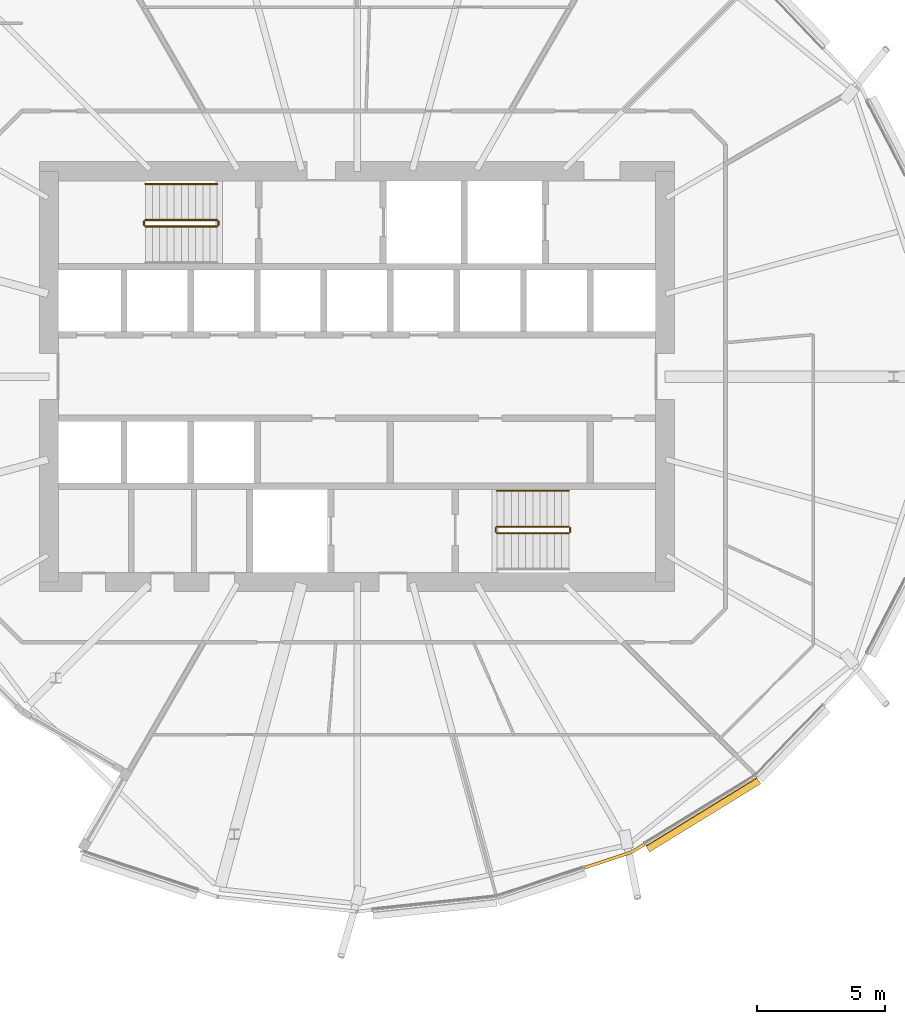
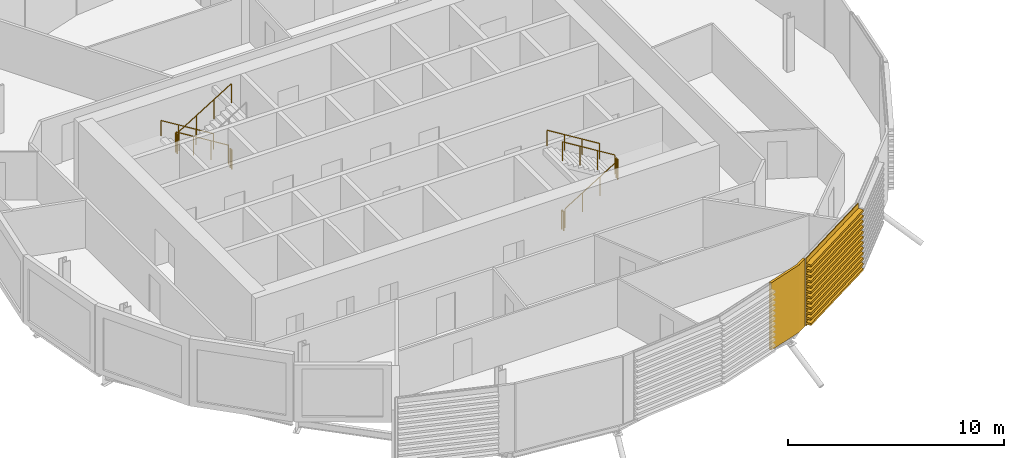
# One storey, part 34 of 38: 10 railings, 2 coverings.
"""IFC4 building model written with IfcOpenShell, lengths in metres."""

import ifcopenshell
import ifcopenshell.guid

model = None  # the IFC model being written
_history = None  # IfcOwnerHistory: only IFC2X3 demands one
_inside = {}  # id of a spatial element -> (the spatial element, [elements in it])
_under = {}  # id of a project, library or spatial element -> (it, [spatial elements below it])
_declared = {}  # id of a project -> (the project, [libraries it declares])
_typed = {}  # id of a type object -> (the type object, [elements of that type])
_made_of = {}  # id of a material, layer set ... -> (it, [elements and type objects made of it])


def new_model(schema):
    """Start an empty IFC model of exactly this schema.

    Asked for "IFC4X3", IfcOpenShell would pick the latest addendum, in which some entities
    have other attributes; the version numbers below select the first issue.
    IFC2X3 requires an IfcOwnerHistory on every rooted entity: one is made here for all.
    """
    global model, _history
    if schema == "IFC4X3":
        model = ifcopenshell.file(schema_version=(4, 3, 0, 0))
    else:
        model = ifcopenshell.file(schema=schema)
    _inside.clear()
    _under.clear()
    _declared.clear()
    _typed.clear()
    _made_of.clear()
    _history = None
    if model.schema == "IFC2X3":
        org = make("IfcOrganization", Name="unknown")
        user = make(
            "IfcPersonAndOrganization",
            ThePerson=make("IfcPerson", FamilyName="unknown"),
            TheOrganization=org,
        )
        app = make(
            "IfcApplication",
            ApplicationDeveloper=org,
            Version="unknown",
            ApplicationFullName="unknown",
            ApplicationIdentifier="unknown",
        )
        _history = make(
            "IfcOwnerHistory",
            OwningUser=user,
            OwningApplication=app,
            ChangeAction="ADDED",
            CreationDate=0,
        )
    return model


def make(cls, **values):
    """One entity of the class cls with the attributes given. An attribute that is None is left unset."""
    return model.create_entity(
        cls, **{name: value for name, value in values.items() if value is not None}
    )


def rooted(cls, **values):
    """An entity with a GlobalId (a new one), such as an element, a storey or a relation."""
    return make(cls, GlobalId=ifcopenshell.guid.new(), OwnerHistory=_history, **values)


def si_unit(unit_type, name, prefix=None):
    """IfcSIUnit, for example si_unit("LENGTHUNIT", "METRE", prefix="MILLI")."""
    return make("IfcSIUnit", UnitType=unit_type, Prefix=prefix, Name=name)


def assignment(units):
    """IfcUnitAssignment: the units of a project."""
    return None if units is None else make("IfcUnitAssignment", Units=units)


def point(xyz):
    """IfcCartesianPoint."""
    return None if xyz is None else make("IfcCartesianPoint", Coordinates=xyz)


def direction(xyz):
    """IfcDirection."""
    return None if xyz is None else make("IfcDirection", DirectionRatios=xyz)


def frame(location, z_axis=None, x_axis=None):
    """IfcAxis2Placement3D, a coordinate frame: its origin and axes. An axis left out is left unset."""
    return make(
        "IfcAxis2Placement3D",
        Location=point(location),
        Axis=direction(z_axis),
        RefDirection=direction(x_axis),
    )


def frame_2d(location, x_axis=None):
    """IfcAxis2Placement2D, a coordinate frame in the plane: its origin and x axis."""
    return make(
        "IfcAxis2Placement2D", Location=point(location), RefDirection=direction(x_axis)
    )


def origin():
    """The frame at (0, 0, 0) with its axes left unset."""
    return frame((0.0, 0.0, 0.0))


def origin_2d():
    """The frame at (0, 0) in the plane with its x axis left unset."""
    return frame_2d((0.0, 0.0))


def place(relative_to, where):
    """IfcLocalPlacement: puts the frame where relative to a parent placement (None: the world)."""
    return make(
        "IfcLocalPlacement", PlacementRelTo=relative_to, RelativePlacement=where
    )


def context(
    kind, dimensions, precision=None, world=None, true_north=None, identifier=None
):
    """IfcGeometricRepresentationContext, for example the 3D "Model" context."""
    return make(
        "IfcGeometricRepresentationContext",
        ContextIdentifier=identifier,
        ContextType=kind,
        CoordinateSpaceDimension=dimensions,
        Precision=precision,
        WorldCoordinateSystem=world,
        TrueNorth=true_north,
    )


def subcontext(parent, identifier, kind, view, scale=None):
    """IfcGeometricRepresentationSubContext, for example "Body" below "Model"."""
    return make(
        "IfcGeometricRepresentationSubContext",
        ContextIdentifier=identifier,
        ContextType=kind,
        ParentContext=parent,
        TargetScale=scale,
        TargetView=view,
    )


def project(units=None, contexts=None):
    """IfcProject with its units and contexts."""
    return rooted(
        "IfcProject",
        Name="project",
        RepresentationContexts=contexts,
        UnitsInContext=assignment(units),
    )


def spatial(cls, under=None, at=None, **own):
    """A site, building, storey or space (cls), placed at a placement, below another one or the project."""
    s = rooted(cls, ObjectPlacement=at, **own)
    if under is not None:
        _under.setdefault(under.id(), (under, []))[1].append(s)
    return s


def polyline(points):
    """IfcPolyline through the points."""
    return make("IfcPolyline", Points=[point(p) for p in points])


def profile(cls, at=None, kind="AREA", **sizes):
    """A parametric profile (cls). Its sizes go by their IFC names, for example OverallWidth=200.0."""
    return make(cls, ProfileType=kind, Position=at, **sizes)


def circle(**sizes):
    """IfcCircleProfileDef."""
    return profile("IfcCircleProfileDef", **sizes)


def outline(outer, holes=None, kind="AREA"):
    """IfcArbitraryClosedProfileDef: a profile drawn as a closed curve; with holes, ...WithVoids."""
    if holes is None:
        return make("IfcArbitraryClosedProfileDef", ProfileType=kind, OuterCurve=outer)
    return make(
        "IfcArbitraryProfileDefWithVoids",
        ProfileType=kind,
        OuterCurve=outer,
        InnerCurves=holes,
    )


def extrude(swept, where, along, depth):
    """IfcExtrudedAreaSolid: the profile swept, set in the frame where, extruded along a direction by depth."""
    return make(
        "IfcExtrudedAreaSolid",
        SweptArea=swept,
        Position=where,
        ExtrudedDirection=direction(along),
        Depth=depth,
    )


def shape(context_of_items, identifier, shape_type, items):
    """IfcShapeRepresentation: the items that make up one representation, for example the "Body"."""
    return make(
        "IfcShapeRepresentation",
        ContextOfItems=context_of_items,
        RepresentationIdentifier=identifier,
        RepresentationType=shape_type,
        Items=items,
    )


def material(Name=None, Category=None):
    """IfcMaterial."""
    return make("IfcMaterial", Name=Name, Category=Category)


def layer(
    of_material, thickness, ventilated=None, Name=None, Category=None, Priority=None
):
    """IfcMaterialLayer: one layer of a wall or slab, of a material (None: an air gap)."""
    return make(
        "IfcMaterialLayer",
        Material=of_material,
        LayerThickness=thickness,
        IsVentilated=ventilated,
        Name=Name,
        Category=Category,
        Priority=Priority,
    )


def layer_set(layers, Name=None):
    """IfcMaterialLayerSet."""
    return make("IfcMaterialLayerSet", MaterialLayers=layers, LayerSetName=Name)


def material_profile(
    of_material, cross_section, Name=None, Category=None, Priority=None
):
    """IfcMaterialProfile: a cross section and its material."""
    return make(
        "IfcMaterialProfile",
        Name=Name,
        Material=of_material,
        Profile=cross_section,
        Priority=Priority,
        Category=Category,
    )


def profile_set(profiles, Name=None, composite=None):
    """IfcMaterialProfileSet."""
    return make(
        "IfcMaterialProfileSet",
        Name=Name,
        MaterialProfiles=profiles,
        CompositeProfile=composite,
    )


def made_of(thing, what):
    """Note that an element or type object is made of a material, layer set ...; save() writes the relation."""
    if what is not None:
        _made_of.setdefault(what.id(), (what, []))[1].append(thing)
    return thing


def type_object(cls, material=None, **own):
    """A type object (cls), such as IfcWallType, which elements share."""
    return made_of(rooted(cls, **own), material)


def element(
    cls,
    number,
    at=None,
    inside=None,
    cuts=None,
    type_object=None,
    material=None,
    context=None,
    identifier="Body",
    shape_type=None,
    held_by="IfcProductDefinitionShape",
    body=None,
    shapes=None,
    **own,
):
    """One element of the class cls, such as IfcWall. Its Tag is "e" and its number.

    at: its placement. inside: the storey or other place that contains it. cuts: it is an
    opening in that element (IfcRelVoidsElement). A single representation is given by context,
    identifier, shape_type and body (its items); several are given by shapes. held_by: the class
    of the entity that holds the representations. save() writes the other relations.
    """
    e = rooted(cls, Tag="e%d" % number, ObjectPlacement=at, **own)
    if body is not None:
        shapes = [shape(context, identifier, shape_type, body)]
    if shapes is not None:
        e.Representation = make(held_by, Representations=shapes)
    if inside is not None:
        _inside.setdefault(inside.id(), (inside, []))[1].append(e)
    if cuts is not None:
        rooted(
            "IfcRelVoidsElement", RelatingBuildingElement=cuts, RelatedOpeningElement=e
        )
    if type_object is not None:
        _typed.setdefault(type_object.id(), (type_object, []))[1].append(e)
    return made_of(e, material)


def aggregate(whole, parts):
    """IfcRelAggregates: a whole, such as a stair, and the parts it consists of."""
    return rooted("IfcRelAggregates", RelatingObject=whole, RelatedObjects=parts)


def save(model, path):
    """Write the relations noted so far, then the file.

    IfcRelAggregates (storeys below a building ...), IfcRelContainedInSpatialStructure (elements
    in a storey), IfcRelDefinesByType, IfcRelAssociatesMaterial and IfcRelDeclares: one each for
    every whole, place, type object, material and project.
    """
    for whole, parts in _under.values():
        aggregate(whole, parts)
    for where, things in _inside.values():
        rooted(
            "IfcRelContainedInSpatialStructure",
            RelatedElements=things,
            RelatingStructure=where,
        )
    for kind, things in _typed.values():
        rooted("IfcRelDefinesByType", RelatedObjects=things, RelatingType=kind)
    for what, things in _made_of.values():
        rooted("IfcRelAssociatesMaterial", RelatedObjects=things, RelatingMaterial=what)
    for by, libraries in _declared.values():
        rooted("IfcRelDeclares", RelatingContext=by, RelatedDefinitions=libraries)
    model.write(path)


model = new_model("IFC4")

# Units and contexts
model_context = context("Model", 3, precision=1e-05, world=origin(), true_north=direction((0.0, 1.0)))
body_context = subcontext(model_context, "Body", "Model", "MODEL_VIEW")
ifc_project = project(units=[si_unit("LENGTHUNIT", "METRE"), si_unit("AREAUNIT", "SQUARE_METRE"), si_unit("VOLUMEUNIT", "CUBIC_METRE"), si_unit("PLANEANGLEUNIT", "RADIAN"), si_unit("MASSUNIT", "GRAM", prefix="KILO")], contexts=[model_context])

# Site, building, storey
site_placement = place(None, origin())
site = spatial("IfcSite", under=ifc_project, at=site_placement, CompositionType="ELEMENT")
building_placement = place(site_placement, origin())
building = spatial("IfcBuilding", under=site, at=building_placement, Name="Rimbun Link Towers", CompositionType="ELEMENT")
storey_placement = place(building_placement, frame((0.0, 0.0, 108.199951171875)))
storey = spatial("IfcBuildingStorey", under=building, at=storey_placement, Name="L26", CompositionType="ELEMENT", Elevation=108.199951171875)

# Covering
ifc_material_1 = material(Name="Terracotta", Category="masonry")
ifc_layer = layer(ifc_material_1, 0.1201171875)
ifc_layer_set = layer_set([ifc_layer], Name="LINK PIER terracotta cladding 120")
covering_type_1 = type_object("IfcCoveringType", Name="LINK PIER terracotta cladding 120", PredefinedType="CLADDING", material=ifc_layer_set)
covering_1_placement = place(storey_placement, origin())
element("IfcCovering", 1, at=covering_1_placement, inside=storey, type_object=covering_type_1, Name="LINK PIER cladding", PredefinedType="CLADDING", context=body_context, shape_type="SweptSolid", body=[
    extrude(outline(polyline([(-20.59619140625, -18.17919921875), (-21.08203125, -18.4775390625), (-22.904541015625, -19.08154296875), (-22.86669921875, -19.1953125), (-21.031005859375, -18.5869140625), (-20.533447265625, -18.281494140625), (-20.59619140625, -18.17919921875)])), origin(), (0.0, 0.0, 1.0), 3.800048828125),
])

# Railings
ifc_material_2 = material(Name="Stainless steel grade 316", Category="steel")
railing_type_1 = type_object("IfcRailingType", Name="Stair guard", PredefinedType="GUARDRAIL", material=ifc_material_2)
railing_1_placement = place(storey_placement, frame((-37.199951171875, 6.10009765625, 0.1728515625)))
element("IfcRailing", 2, at=railing_1_placement, inside=storey, type_object=railing_type_1, Name="L26 ST1 stair guard 1", PredefinedType="GUARDRAIL", context=body_context, shape_type="SweptSolid", body=[
    extrude(circle(Radius=0.02392578125, at=origin_2d()), frame((0.0, 0.0, 1.076171875), z_axis=(-0.851089632645, 0.0, 0.525020415988), x_axis=(0.0, -1.0, 0.0)), (0.0, 0.0, 1.0), 3.2900390625),
    extrude(circle(Radius=0.02099609375, at=origin_2d()), origin(), (0.0, 0.0, 1.0), 1.052001953125),
    extrude(circle(Radius=0.02099609375, at=origin_2d()), frame((-0.933349609375, 0.0, 0.57568359375)), (0.0, 0.0, 1.0), 1.052001953125),
    extrude(circle(Radius=0.02099609375, at=origin_2d()), frame((-1.86669921875, 0.0, 1.151611328125)), (0.0, 0.0, 1.0), 1.052001953125),
    extrude(circle(Radius=0.02099609375, at=origin_2d()), frame((-2.800048828125, 0.0, 1.727294921875)), (0.0, 0.0, 1.0), 1.052001953125),
])
railing_2_placement = place(storey_placement, frame((-40.050048828125, 6.050048828125, 1.900146484375)))
element("IfcRailing", 3, at=railing_2_placement, inside=storey, type_object=railing_type_1, Name="L26 ST1 stair guard 2", PredefinedType="GUARDRAIL", context=body_context, shape_type="SweptSolid", body=[
    extrude(circle(Radius=0.02392578125, at=origin_2d()), frame((0.0, 0.0, 1.076171875), z_axis=(0.0, -1.0, 0.0), x_axis=(1.0, 0.0, 0.0)), (0.0, 0.0, 1.0), 0.150146484375),
    extrude(circle(Radius=0.02099609375, at=origin_2d()), origin(), (0.0, 0.0, 1.0), 1.052001953125),
    extrude(circle(Radius=0.02099609375, at=origin_2d()), frame((0.0, -0.150146484375, 0.0)), (0.0, 0.0, 1.0), 1.052001953125),
])
railing_3_placement = place(storey_placement, frame((-40.0, 5.85009765625, 2.07275390625)))
element("IfcRailing", 4, at=railing_3_placement, inside=storey, type_object=railing_type_1, Name="L26 ST1 stair guard 3", PredefinedType="GUARDRAIL", context=body_context, shape_type="SweptSolid", body=[
    extrude(circle(Radius=0.02392578125, at=origin_2d()), frame((0.0, 0.0, 1.076171875), z_axis=(0.851089632645, 0.0, 0.525020415988), x_axis=(0.0, 1.0, 0.0)), (0.0, 0.0, 1.0), 3.2900390625),
    extrude(circle(Radius=0.02099609375, at=origin_2d()), origin(), (0.0, 0.0, 1.0), 1.052001953125),
    extrude(circle(Radius=0.02099609375, at=origin_2d()), frame((0.933349609375, 0.0, 0.57568359375)), (0.0, 0.0, 1.0), 1.052001953125),
    extrude(circle(Radius=0.02099609375, at=origin_2d()), frame((1.86669921875, 0.0, 1.151611328125)), (0.0, 0.0, 1.0), 1.052001953125),
    extrude(circle(Radius=0.02099609375, at=origin_2d()), frame((2.800048828125, 0.0, 1.727294921875)), (0.0, 0.0, 1.0), 1.052001953125),
])
railing_4_placement = place(storey_placement, frame((-37.14990234375, 6.050048828125, 0.0)))
element("IfcRailing", 5, at=railing_4_placement, inside=storey, type_object=railing_type_1, Name="L26 ST1 stair guard 4", PredefinedType="GUARDRAIL", context=body_context, shape_type="SweptSolid", body=[
    extrude(circle(Radius=0.02392578125, at=origin_2d()), frame((0.0, 0.0, 1.076171875), z_axis=(0.0, -1.0, 0.0), x_axis=(1.0, 0.0, 0.0)), (0.0, 0.0, 1.0), 0.150146484375),
    extrude(circle(Radius=0.02099609375, at=origin_2d()), origin(), (0.0, 0.0, 1.0), 1.052001953125),
    extrude(circle(Radius=0.02099609375, at=origin_2d()), frame((0.0, -0.150146484375, 0.0)), (0.0, 0.0, 1.0), 1.052001953125),
])
railing_5_placement = place(storey_placement, frame((-26.300048828125, -6.10009765625, 0.1728515625)))
element("IfcRailing", 6, at=railing_5_placement, inside=storey, type_object=railing_type_1, Name="L26 ST2 stair guard 1", PredefinedType="GUARDRAIL", context=body_context, shape_type="SweptSolid", body=[
    extrude(circle(Radius=0.02392578125, at=origin_2d()), frame((0.0, 0.0, 1.076171875), z_axis=(0.851089632645, 0.0, 0.525020415988), x_axis=(0.0, 1.0, 0.0)), (0.0, 0.0, 1.0), 3.2900390625),
    extrude(circle(Radius=0.02099609375, at=origin_2d()), origin(), (0.0, 0.0, 1.0), 1.052001953125),
    extrude(circle(Radius=0.02099609375, at=origin_2d()), frame((0.933349609375, 0.0, 0.57568359375)), (0.0, 0.0, 1.0), 1.052001953125),
    extrude(circle(Radius=0.02099609375, at=origin_2d()), frame((1.86669921875, 0.0, 1.151611328125)), (0.0, 0.0, 1.0), 1.052001953125),
    extrude(circle(Radius=0.02099609375, at=origin_2d()), frame((2.800048828125, 0.0, 1.727294921875)), (0.0, 0.0, 1.0), 1.052001953125),
])
railing_6_placement = place(storey_placement, frame((-23.449951171875, -6.050048828125, 1.900146484375)))
element("IfcRailing", 7, at=railing_6_placement, inside=storey, type_object=railing_type_1, Name="L26 ST2 stair guard 2", PredefinedType="GUARDRAIL", context=body_context, shape_type="SweptSolid", body=[
    extrude(circle(Radius=0.02392578125, at=origin_2d()), frame((0.0, 0.0, 1.076171875), z_axis=(0.0, 1.0, 0.0), x_axis=(-1.0, 0.0, 0.0)), (0.0, 0.0, 1.0), 0.150146484375),
    extrude(circle(Radius=0.02099609375, at=origin_2d()), origin(), (0.0, 0.0, 1.0), 1.052001953125),
    extrude(circle(Radius=0.02099609375, at=origin_2d()), frame((0.0, 0.150146484375, 0.0)), (0.0, 0.0, 1.0), 1.052001953125),
])
railing_7_placement = place(storey_placement, frame((-23.5, -5.85009765625, 2.07275390625)))
element("IfcRailing", 8, at=railing_7_placement, inside=storey, type_object=railing_type_1, Name="L26 ST2 stair guard 3", PredefinedType="GUARDRAIL", context=body_context, shape_type="SweptSolid", body=[
    extrude(circle(Radius=0.02392578125, at=origin_2d()), frame((0.0, 0.0, 1.076171875), z_axis=(-0.851089632645, 0.0, 0.525020415988), x_axis=(0.0, -1.0, 0.0)), (0.0, 0.0, 1.0), 3.2900390625),
    extrude(circle(Radius=0.02099609375, at=origin_2d()), origin(), (0.0, 0.0, 1.0), 1.052001953125),
    extrude(circle(Radius=0.02099609375, at=origin_2d()), frame((-0.933349609375, 0.0, 0.57568359375)), (0.0, 0.0, 1.0), 1.052001953125),
    extrude(circle(Radius=0.02099609375, at=origin_2d()), frame((-1.86669921875, 0.0, 1.151611328125)), (0.0, 0.0, 1.0), 1.052001953125),
    extrude(circle(Radius=0.02099609375, at=origin_2d()), frame((-2.800048828125, 0.0, 1.727294921875)), (0.0, 0.0, 1.0), 1.052001953125),
])
railing_8_placement = place(storey_placement, frame((-26.35009765625, -6.050048828125, 0.0)))
element("IfcRailing", 9, at=railing_8_placement, inside=storey, type_object=railing_type_1, Name="L26 ST2 stair guard 4", PredefinedType="GUARDRAIL", context=body_context, shape_type="SweptSolid", body=[
    extrude(circle(Radius=0.02392578125, at=origin_2d()), frame((0.0, 0.0, 1.076171875), z_axis=(0.0, 1.0, 0.0), x_axis=(-1.0, 0.0, 0.0)), (0.0, 0.0, 1.0), 0.150146484375),
    extrude(circle(Radius=0.02099609375, at=origin_2d()), origin(), (0.0, 0.0, 1.0), 1.052001953125),
    extrude(circle(Radius=0.02099609375, at=origin_2d()), frame((0.0, 0.150146484375, 0.0)), (0.0, 0.0, 1.0), 1.052001953125),
])
ifc_material_3 = material(Name="Stainless steel grade 316", Category="steel")
railing_type_2 = type_object("IfcRailingType", Name="Stair handrail", PredefinedType="HANDRAIL", material=ifc_material_3)
for number, where, name in (
    (10, (-37.199951171875, 7.5, 0.1728515625), "L26 ST1 stair handrail 1"),
    (11, (-23.5, -4.449951171875, 2.07275390625), "L26 ST2 stair handrail 2"),
):
    element("IfcRailing", number, at=place(storey_placement, frame(where)), inside=storey, type_object=railing_type_2, Name=name, PredefinedType="HANDRAIL", context=body_context, shape_type="SweptSolid", body=[
        extrude(circle(Radius=0.02392578125, at=origin_2d()), frame((0.0, 0.0, 0.8759765625), z_axis=(-0.851089632645, 0.0, 0.525020415988), x_axis=(0.0, -1.0, 0.0)), (0.0, 0.0, 1.0), 3.2900390625),
        extrude(circle(Radius=0.02099609375, at=origin_2d()), origin(), (0.0, 0.0, 1.0), 0.851806640625),
        extrude(circle(Radius=0.02099609375, at=origin_2d()), frame((-0.933349609375, 0.0, 0.57568359375)), (0.0, 0.0, 1.0), 0.851806640625),
        extrude(circle(Radius=0.02099609375, at=origin_2d()), frame((-1.86669921875, 0.0, 1.151611328125)), (0.0, 0.0, 1.0), 0.851806640625),
        extrude(circle(Radius=0.02099609375, at=origin_2d()), frame((-2.800048828125, 0.0, 1.727294921875)), (0.0, 0.0, 1.0), 0.851806640625),
    ])

# Covering
ifc_material_4 = material(Name="Terracotta", Category="masonry")
ifc_material_profile = material_profile(ifc_material_4, outline(polyline([(0.123046875, 0.0), (0.1630859375, 0.0), (0.1630859375, 0.10009765625), (0.423095703125, 0.10009765625), (0.423095703125, 0.219970703125), (0.1630859375, 0.219970703125), (0.1630859375, 0.39990234375), (0.423095703125, 0.39990234375), (0.423095703125, 0.52001953125), (0.1630859375, 0.52001953125), (0.1630859375, 0.699951171875), (0.423095703125, 0.699951171875), (0.423095703125, 0.820068359375), (0.1630859375, 0.820068359375), (0.1630859375, 1.0), (0.423095703125, 1.0), (0.423095703125, 1.1201171875), (0.1630859375, 1.1201171875), (0.1630859375, 1.300048828125), (0.423095703125, 1.300048828125), (0.423095703125, 1.419921875), (0.1630859375, 1.419921875), (0.1630859375, 1.60009765625), (0.423095703125, 1.60009765625), (0.423095703125, 1.719970703125), (0.1630859375, 1.719970703125), (0.1630859375, 1.89990234375), (0.423095703125, 1.89990234375), (0.423095703125, 2.02001953125), (0.1630859375, 2.02001953125), (0.1630859375, 2.199951171875), (0.423095703125, 2.199951171875), (0.423095703125, 2.320068359375), (0.1630859375, 2.320068359375), (0.1630859375, 2.5), (0.423095703125, 2.5), (0.423095703125, 2.6201171875), (0.1630859375, 2.6201171875), (0.1630859375, 2.800048828125), (0.423095703125, 2.800048828125), (0.423095703125, 2.919921875), (0.1630859375, 2.919921875), (0.1630859375, 3.10009765625), (0.423095703125, 3.10009765625), (0.423095703125, 3.219970703125), (0.1630859375, 3.219970703125), (0.1630859375, 3.39990234375), (0.423095703125, 3.39990234375), (0.423095703125, 3.52001953125), (0.1630859375, 3.52001953125), (0.1630859375, 3.800048828125), (0.123046875, 3.800048828125), (0.123046875, 0.0)])), Name="BAGUETTE 120X300")
ifc_profile_set = profile_set([ifc_material_profile], Name="Terracotta")
covering_type_2 = type_object("IfcCoveringType", Name="TERRACOTTA BAGUETTE 120X300 H3800", PredefinedType="CLADDING", material=ifc_profile_set)
covering_2_placement = place(storey_placement, frame((-16.243408203125, -15.506591796875, 0.0), z_axis=(-0.852187774371, -0.523236081719, 0.0), x_axis=(0.523236081719, -0.852187774371, 0.0)))
element("IfcCovering", 12, at=covering_2_placement, inside=storey, type_object=covering_type_2, Name="TERRACOTTA BAGUETTE", PredefinedType="CLADDING", context=body_context, shape_type="SweptSolid", body=[
    extrude(outline(polyline([(0.123046875, 0.0), (0.1630859375, 0.0), (0.1630859375, 0.10009765625), (0.423095703125, 0.10009765625), (0.423095703125, 0.219970703125), (0.1630859375, 0.219970703125), (0.1630859375, 0.39990234375), (0.423095703125, 0.39990234375), (0.423095703125, 0.52001953125), (0.1630859375, 0.52001953125), (0.1630859375, 0.699951171875), (0.423095703125, 0.699951171875), (0.423095703125, 0.820068359375), (0.1630859375, 0.820068359375), (0.1630859375, 1.0), (0.423095703125, 1.0), (0.423095703125, 1.1201171875), (0.1630859375, 1.1201171875), (0.1630859375, 1.300048828125), (0.423095703125, 1.300048828125), (0.423095703125, 1.419921875), (0.1630859375, 1.419921875), (0.1630859375, 1.60009765625), (0.423095703125, 1.60009765625), (0.423095703125, 1.719970703125), (0.1630859375, 1.719970703125), (0.1630859375, 1.89990234375), (0.423095703125, 1.89990234375), (0.423095703125, 2.02001953125), (0.1630859375, 2.02001953125), (0.1630859375, 2.199951171875), (0.423095703125, 2.199951171875), (0.423095703125, 2.320068359375), (0.1630859375, 2.320068359375), (0.1630859375, 2.5), (0.423095703125, 2.5), (0.423095703125, 2.6201171875), (0.1630859375, 2.6201171875), (0.1630859375, 2.800048828125), (0.423095703125, 2.800048828125), (0.423095703125, 2.919921875), (0.1630859375, 2.919921875), (0.1630859375, 3.10009765625), (0.423095703125, 3.10009765625), (0.423095703125, 3.219970703125), (0.1630859375, 3.219970703125), (0.1630859375, 3.39990234375), (0.423095703125, 3.39990234375), (0.423095703125, 3.52001953125), (0.1630859375, 3.52001953125), (0.1630859375, 3.800048828125), (0.123046875, 3.800048828125), (0.123046875, 0.0)])), origin(), (0.0, 0.0, 1.0), 5.077880859375),
])

save(model, "model.ifc")
